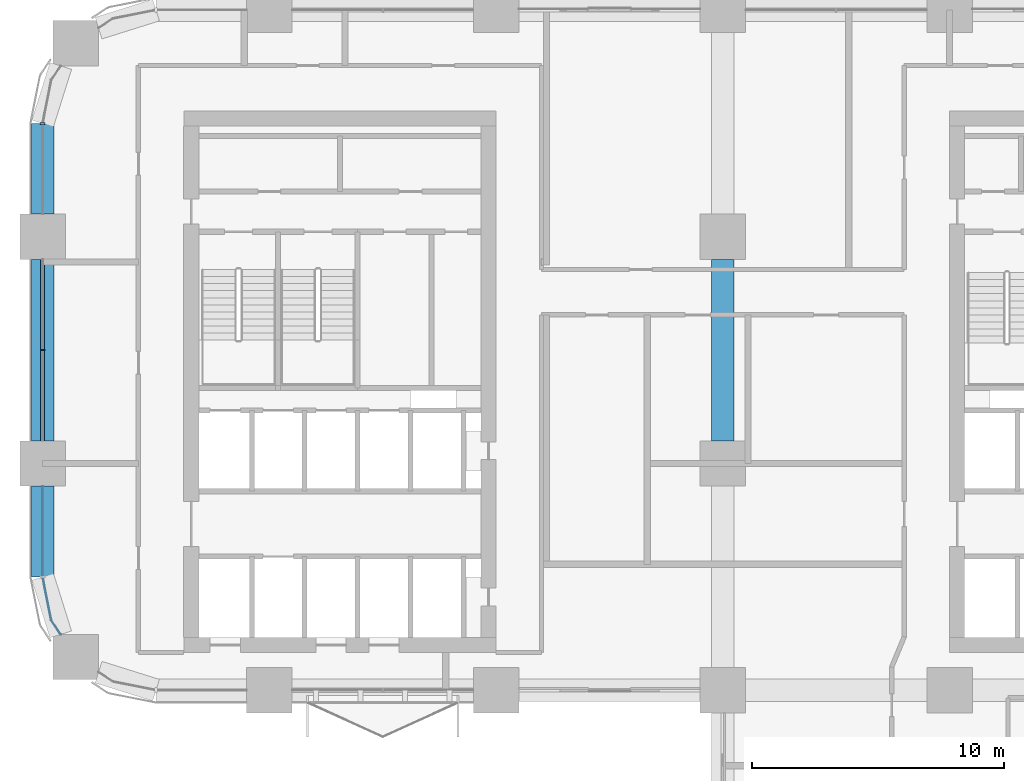
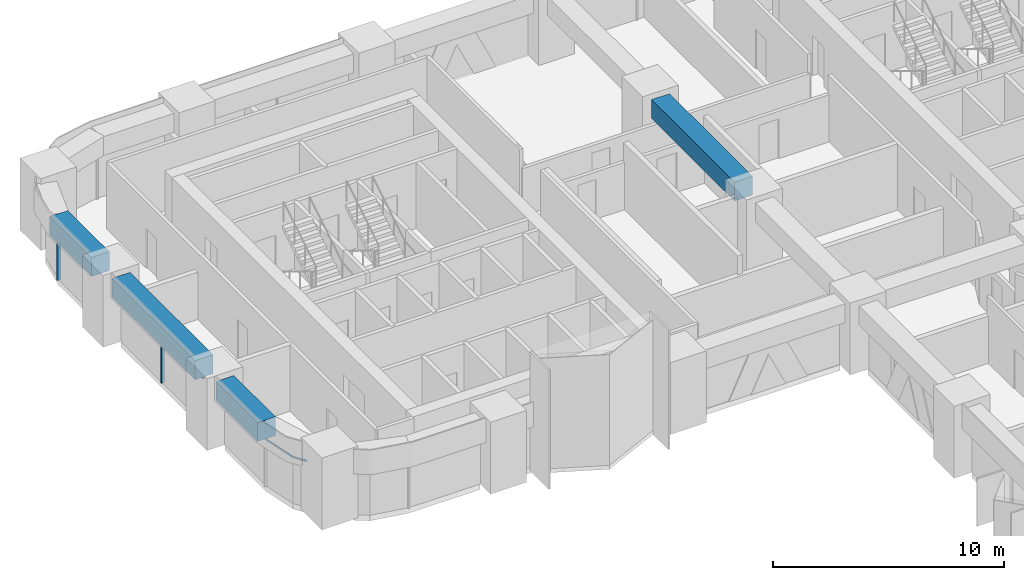
# One storey, part 7 of 24: 4 beams, 4 members, 3 elements without a shape of their own.
"""IFC4 building model written with IfcOpenShell, lengths in metres."""

from ifc_helpers import new_model, si_unit, direction, frame, origin, origin_2d, place, context, subcontext, project, spatial, polyline, rectangle, outline, extrude, material, material_profile, profile_set, type_object, element, aggregate, save


model = new_model("IFC4")

# Units and contexts
model_context = context("Model", 3, precision=1e-05, world=origin(), true_north=direction((0.0, 1.0)))
body_context = subcontext(model_context, "Body", "Model", "MODEL_VIEW")
ifc_project = project(units=[si_unit("LENGTHUNIT", "METRE"), si_unit("AREAUNIT", "SQUARE_METRE"), si_unit("VOLUMEUNIT", "CUBIC_METRE"), si_unit("PLANEANGLEUNIT", "RADIAN"), si_unit("MASSUNIT", "GRAM", prefix="KILO")], contexts=[model_context])

# Site, building, storey
site_placement = place(None, origin())
site = spatial("IfcSite", under=ifc_project, at=site_placement, CompositionType="ELEMENT")
building_placement = place(site_placement, origin())
building = spatial("IfcBuilding", under=site, at=building_placement, Name="Tessera Arch", CompositionType="ELEMENT")
storey_placement = place(building_placement, frame((0.0, 0.0, 81.60009765625)))
storey = spatial("IfcBuildingStorey", under=building, at=storey_placement, Name="L18", CompositionType="ELEMENT", Elevation=81.60009765625)

# Curtain wall, members
ifc_material_1 = material(Name="CW1 curtain wall")
curtain_wall_type_1 = type_object("IfcCurtainWallType", Name="CW1 curtain wall", PredefinedType="NOTDEFINED", material=ifc_material_1)
curtain_wall_1_placement = place(storey_placement, origin())
curtain_wall_1 = element("IfcCurtainWall", 1, at=curtain_wall_1_placement, inside=storey, type_object=curtain_wall_type_1, Name="CW1 curtain wall W0.27/1 L18", PredefinedType="NOTDEFINED")
ifc_material_2 = material(Name="Anodised aluminium pale metal", Category="aluminium")
ifc_material_profile_1 = material_profile(ifc_material_2, rectangle(XDim=0.159912109375, YDim=0.06005859375, at=origin_2d()), Name="AL 60x160")
ifc_profile_set_1 = profile_set([ifc_material_profile_1], Name="Anodised aluminium pale metal")
member_type_1 = type_object("IfcMemberType", Name="CW1 mullion", PredefinedType="MULLION", material=ifc_profile_set_1)
member_1_placement = place(storey_placement, frame((0.0, 40.5, 0.0), z_axis=(0.0, 0.0, 1.0), x_axis=(1.0, 0.0, 0.0)))
member_1 = element("IfcMember", 2, at=member_1_placement, type_object=member_type_1, Name="CW1 mullion W0.27/1 1", PredefinedType="MULLION", context=body_context, shape_type="SweptSolid", body=[
    extrude(rectangle(XDim=0.159912109375, YDim=0.06005859375, at=origin_2d()), origin(), (0.0, 0.0, 1.0), 2.39990234375),
])
ifc_material_3 = material(Name="Anodised aluminium pale metal", Category="aluminium")
ifc_material_profile_2 = material_profile(ifc_material_3, rectangle(XDim=0.159912109375, YDim=0.10009765625, at=origin_2d()), Name="AL 160x100")
ifc_profile_set_2 = profile_set([ifc_material_profile_2], Name="Anodised aluminium pale metal")
member_type_2 = type_object("IfcMemberType", Name="CW1 transom", PredefinedType="USERDEFINED", material=ifc_profile_set_2)
member_2_placement = place(storey_placement, frame((0.0, 44.10009765625, 2.449951171875), z_axis=(0.0, -1.0, 0.0), x_axis=(1.0, 0.0, 0.0)))
member_2 = element("IfcMember", 3, at=member_2_placement, type_object=member_type_2, Name="CW1 transom W0.27/1 1.1", ObjectType="TRANSOM", PredefinedType="USERDEFINED", context=body_context, shape_type="SweptSolid", body=[
    extrude(rectangle(XDim=0.159912109375, YDim=0.10009765625, at=origin_2d()), origin(), (0.0, 0.0, 1.0), 7.2001953125),
])
aggregate(curtain_wall_1, [member_1, member_2])

# Curtain wall, member
ifc_material_4 = material(Name="CW2 curtain wall")
curtain_wall_type_2 = type_object("IfcCurtainWallType", Name="CW2 curtain wall", PredefinedType="NOTDEFINED", material=ifc_material_4)
curtain_wall_2_placement = place(storey_placement, origin())
curtain_wall_2 = element("IfcCurtainWall", 4, at=curtain_wall_2_placement, inside=storey, type_object=curtain_wall_type_2, Name="CW2 curtain wall W0.27/0 L18", PredefinedType="NOTDEFINED")
ifc_material_5 = material(Name="Anodised aluminium pale metal", Category="aluminium")
ifc_material_profile_3 = material_profile(ifc_material_5, rectangle(XDim=0.199951171875, YDim=0.080078125, at=origin_2d()), Name="AL 80x200")
ifc_profile_set_3 = profile_set([ifc_material_profile_3], Name="Anodised aluminium pale metal")
member_type_3 = type_object("IfcMemberType", Name="CW2 mullion", PredefinedType="MULLION", material=ifc_profile_set_3)
member_3_placement = place(storey_placement, frame((0.0, 49.5, 0.0), z_axis=(0.0, 0.0, 1.0), x_axis=(1.0, 0.0, 0.0)))
member_3 = element("IfcMember", 5, at=member_3_placement, type_object=member_type_3, Name="CW2 mullion W0.27/0 1", PredefinedType="MULLION", context=body_context, shape_type="SweptSolid", body=[
    extrude(rectangle(XDim=0.199951171875, YDim=0.080078125, at=origin_2d()), origin(), (0.0, 0.0, 1.0), 2.39990234375),
])
aggregate(curtain_wall_2, [member_3])

curtain_wall_3_placement = place(storey_placement, origin())
curtain_wall_3 = element("IfcCurtainWall", 6, at=curtain_wall_3_placement, inside=storey, type_object=curtain_wall_type_2, Name="CW2 curtain wall W0.27/2 L18", PredefinedType="NOTDEFINED")
ifc_material_6 = material(Name="Anodised aluminium pale metal", Category="aluminium")
ifc_material_profile_4 = material_profile(ifc_material_6, rectangle(XDim=0.199951171875, YDim=0.10009765625, at=origin_2d()), Name="AL 200x100")
ifc_profile_set_4 = profile_set([ifc_material_profile_4], Name="Anodised aluminium pale metal")
member_type_4 = type_object("IfcMemberType", Name="CW2 transom", PredefinedType="USERDEFINED", material=ifc_profile_set_4)
member_4_placement = place(storey_placement, frame((0.0, 0.0, 2.39990234375)))
member_4 = element("IfcMember", 7, at=member_4_placement, type_object=member_type_4, Name="CW2 transom W0.27/2 1", ObjectType="TRANSOM", PredefinedType="USERDEFINED", context=body_context, shape_type="SweptSolid", body=[
    extrude(outline(polyline([(0.010009765625, 31.5009765625), (0.010009765625, 35.10009765625), (-0.010009765625, 35.10009765625), (-0.010009765625, 31.4990234375), (0.3330078125, 29.77392578125), (0.70849609375, 29.21240234375), (0.72509765625, 29.2236328125), (0.351806640625, 29.78173828125), (0.010009765625, 31.5009765625)])), origin(), (0.0, 0.0, 1.0), 0.10009765625),
])
aggregate(curtain_wall_3, [member_4])

# Beams
ifc_material_7 = material(Name="Concrete C80/95", Category="concrete")
ifc_material_profile_5 = material_profile(ifc_material_7, rectangle(XDim=0.89990234375, YDim=1.0, at=origin_2d()), Name="RC spandrel beam 900 x 1000 Concrete C80/95")
ifc_profile_set_5 = profile_set([ifc_material_profile_5], Name="Concrete C80/95")
beam_type = type_object("IfcBeamType", Name="RC spandrel beam 900 x 1000 Concrete C80/95", PredefinedType="BEAM", material=ifc_profile_set_5)
beam_1_placement = place(storey_placement, frame((0.0, 49.5, 3.0), z_axis=(0.0, -1.0, 0.0), x_axis=(1.0, 0.0, 0.0)))
element("IfcBeam", 8, at=beam_1_placement, inside=storey, type_object=beam_type, Name="Spandrel beam L18 W0.27/0.2", PredefinedType="BEAM", context=body_context, shape_type="SweptSolid", body=[
    extrude(rectangle(XDim=0.89990234375, YDim=1.0, at=origin_2d()), origin(), (0.0, 0.0, 1.0), 3.60009765625),
])
beam_2_placement = place(storey_placement, frame((0.0, 44.10009765625, 3.0), z_axis=(0.0, -1.0, 0.0), x_axis=(1.0, 0.0, 0.0)))
element("IfcBeam", 9, at=beam_2_placement, inside=storey, type_object=beam_type, Name="Spandrel beam L18 W0.27/1", PredefinedType="BEAM", context=body_context, shape_type="SweptSolid", body=[
    extrude(rectangle(XDim=0.89990234375, YDim=1.0, at=origin_2d()), origin(), (0.0, 0.0, 1.0), 7.2001953125),
])
beam_3_placement = place(storey_placement, frame((0.0, 35.10009765625, 3.0), z_axis=(0.0, -1.0, 0.0), x_axis=(1.0, 0.0, 0.0)))
element("IfcBeam", 10, at=beam_3_placement, inside=storey, type_object=beam_type, Name="Spandrel beam L18 W0.27/2.1", PredefinedType="BEAM", context=body_context, shape_type="SweptSolid", body=[
    extrude(rectangle(XDim=0.89990234375, YDim=1.0, at=origin_2d()), origin(), (0.0, 0.0, 1.0), 3.60009765625),
])
beam_4_placement = place(storey_placement, frame((27.0, 36.89990234375, 3.0), z_axis=(0.0, 1.0, 0.0), x_axis=(-1.0, 0.0, 0.0)))
element("IfcBeam", 11, at=beam_4_placement, inside=storey, type_object=beam_type, Name="Interface beam L18 I0C4E-C4F", PredefinedType="BEAM", context=body_context, shape_type="SweptSolid", body=[
    extrude(rectangle(XDim=0.89990234375, YDim=1.0, at=origin_2d()), origin(), (0.0, 0.0, 1.0), 7.2001953125),
])

save(model, "model.ifc")
